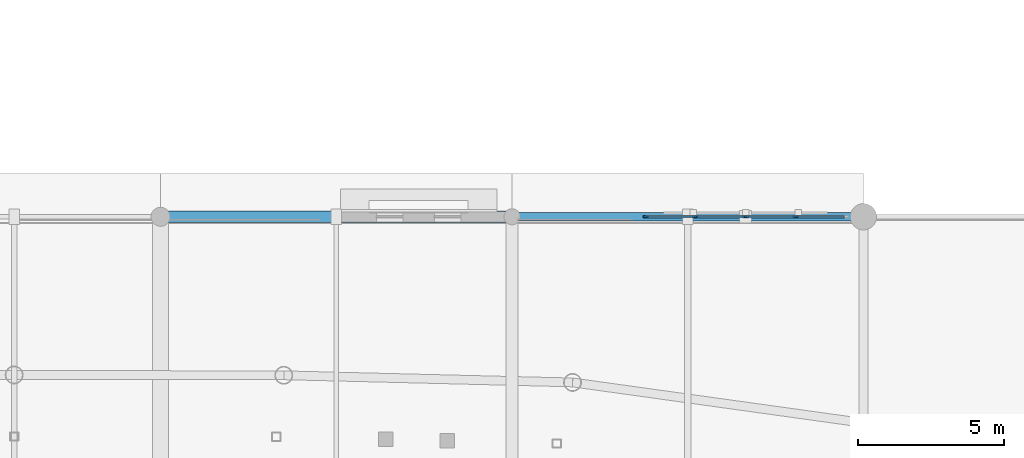
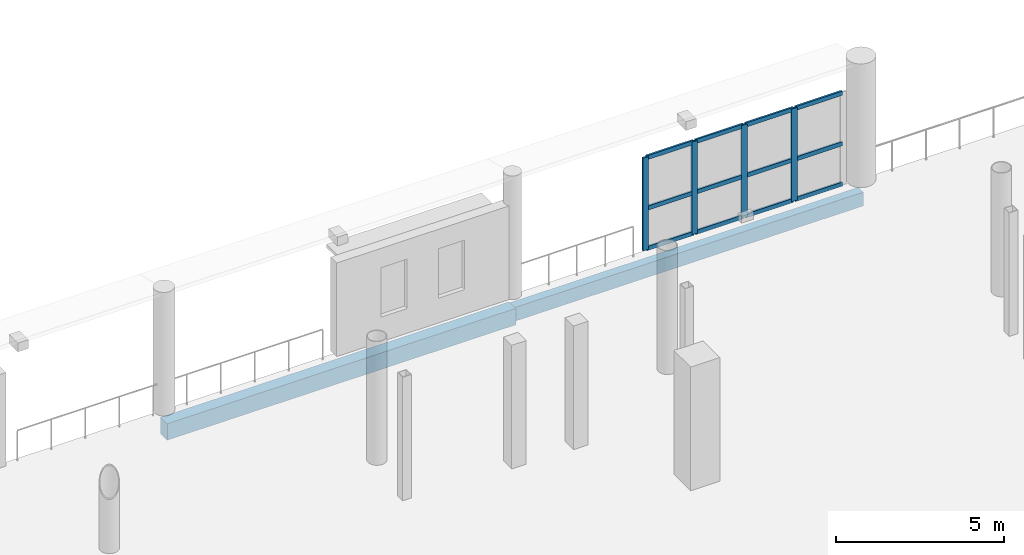
# One storey, part 49 of 118: 16 members, 2 beams, 1 element without a shape of its own.
"""IFC4 building model written with IfcOpenShell, lengths in metres."""

from ifc_helpers import new_model, si_unit, direction, frame, origin, origin_2d, place, context, subcontext, project, spatial, rectangle, hollow_rectangle, extrude, material, material_profile, profile_set, type_object, element, aggregate, save


model = new_model("IFC4")

# Units and contexts
model_context = context("Model", 3, precision=1e-05, world=origin(), true_north=direction((0.0, 1.0)))
body_context = subcontext(model_context, "Body", "Model", "MODEL_VIEW")
ifc_project = project(units=[si_unit("LENGTHUNIT", "METRE"), si_unit("AREAUNIT", "SQUARE_METRE"), si_unit("VOLUMEUNIT", "CUBIC_METRE"), si_unit("PLANEANGLEUNIT", "RADIAN"), si_unit("MASSUNIT", "GRAM", prefix="KILO")], contexts=[model_context])

# Site, building, storey
site_placement = place(None, origin())
site = spatial("IfcSite", under=ifc_project, at=site_placement, CompositionType="ELEMENT")
building_placement = place(site_placement, origin())
building = spatial("IfcBuilding", under=site, at=building_placement, Name="Luwafu Chhajja Arena", CompositionType="ELEMENT")
storey_placement = place(building_placement, frame((0.0, 0.0, 10.199951171875)))
storey = spatial("IfcBuildingStorey", under=building, at=storey_placement, Name="L02", CompositionType="ELEMENT", Elevation=10.199951171875)

# Curtain wall, members
ifc_material_1 = material(Name="Anodised bronze aluminium", Category="aluminium")
curtain_wall_type = type_object("IfcCurtainWallType", Name="Hospitality Ring Curtain Wall", PredefinedType="USERDEFINED", material=ifc_material_1)
curtain_wall_placement = place(storey_placement, origin())
curtain_wall = element("IfcCurtainWall", 1, at=curtain_wall_placement, inside=storey, type_object=curtain_wall_type, Name="L02 Curtain Wall CWG-L02-H10_09", ObjectType="CURTAIN WALL", PredefinedType="USERDEFINED")
ifc_material_profile_1 = material_profile(ifc_material_1, rectangle(XDim=0.06494140625, YDim=0.199951171875, at=origin_2d()), Name="CWM 65x200")
ifc_profile_set_1 = profile_set([ifc_material_profile_1], Name="Anodised bronze aluminium")
member_type_1 = type_object("IfcMemberType", Name="Bronze Curtain Wall Mullion 65x200", PredefinedType="MULLION", material=ifc_profile_set_1)
member_1_placement = place(storey_placement, frame((120.574951171875, 99.0, 0.030029296875), z_axis=(0.0, 0.0, 1.0), x_axis=(0.0, 1.0, 0.0)))
member_1 = element("IfcMember", 2, at=member_1_placement, type_object=member_type_1, Name="CW-02 mullion 1", PredefinedType="MULLION", context=body_context, shape_type="SweptSolid", body=[
    extrude(rectangle(XDim=0.06494140625, YDim=0.199951171875, at=origin_2d()), origin(), (0.0, 0.0, 1.0), 3.375),
])
member_2_placement = place(storey_placement, frame((122.25927734375, 99.0, 0.030029296875), z_axis=(0.0, 0.0, 1.0), x_axis=(0.0, 1.0, 0.0)))
member_2 = element("IfcMember", 3, at=member_2_placement, type_object=member_type_1, Name="CW-02 mullion 2", PredefinedType="MULLION", context=body_context, shape_type="SweptSolid", body=[
    extrude(rectangle(XDim=0.06494140625, YDim=0.199951171875, at=origin_2d()), origin(), (0.0, 0.0, 1.0), 3.375),
])
member_3_placement = place(storey_placement, frame((123.976318359375, 99.0, 0.030029296875), z_axis=(0.0, 0.0, 1.0), x_axis=(0.0, 1.0, 0.0)))
member_3 = element("IfcMember", 4, at=member_3_placement, type_object=member_type_1, Name="CW-02 mullion 3", PredefinedType="MULLION", context=body_context, shape_type="SweptSolid", body=[
    extrude(rectangle(XDim=0.06494140625, YDim=0.199951171875, at=origin_2d()), origin(), (0.0, 0.0, 1.0), 3.375),
])
member_4_placement = place(storey_placement, frame((125.693115234375, 99.0, 0.030029296875), z_axis=(0.0, 0.0, 1.0), x_axis=(0.0, 1.0, 0.0)))
member_4 = element("IfcMember", 5, at=member_4_placement, type_object=member_type_1, Name="CW-02 mullion 4", PredefinedType="MULLION", context=body_context, shape_type="SweptSolid", body=[
    extrude(rectangle(XDim=0.06494140625, YDim=0.199951171875, at=origin_2d()), origin(), (0.0, 0.0, 1.0), 3.375),
])
ifc_material_profile_2 = material_profile(ifc_material_1, rectangle(XDim=0.06494140625, YDim=0.14990234375, at=origin_2d()), Name="CWT 65x150")
ifc_profile_set_2 = profile_set([ifc_material_profile_2], Name="Anodised bronze aluminium")
member_type_2 = type_object("IfcMemberType", Name="Bronze Curtain Wall Transom 65x150", PredefinedType="USERDEFINED", material=ifc_profile_set_2)
member_5_placement = place(storey_placement, frame((120.607421875, 99.0, 0.0625), z_axis=(1.0, 0.0, 0.0), x_axis=(0.0, 1.0, 0.0)))
member_5 = element("IfcMember", 6, at=member_5_placement, type_object=member_type_2, Name="CW-02 transom 1.1", ObjectType="TRANSOM", PredefinedType="USERDEFINED", context=body_context, shape_type="SweptSolid", body=[
    extrude(rectangle(XDim=0.06494140625, YDim=0.14990234375, at=origin_2d()), origin(), (0.0, 0.0, 1.0), 1.619384765625),
])
member_6_placement = place(storey_placement, frame((120.607421875, 99.0, 1.532470703125), z_axis=(1.0, 0.0, 0.0), x_axis=(0.0, 1.0, 0.0)))
member_6 = element("IfcMember", 7, at=member_6_placement, type_object=member_type_2, Name="CW-02 transom 1.2", ObjectType="TRANSOM", PredefinedType="USERDEFINED", context=body_context, shape_type="SweptSolid", body=[
    extrude(rectangle(XDim=0.06494140625, YDim=0.14990234375, at=origin_2d()), origin(), (0.0, 0.0, 1.0), 1.619384765625),
])
member_7_placement = place(storey_placement, frame((120.607421875, 99.0, 3.37255859375), z_axis=(1.0, 0.0, 0.0), x_axis=(0.0, 1.0, 0.0)))
member_7 = element("IfcMember", 8, at=member_7_placement, type_object=member_type_2, Name="CW-02 transom 1.3", ObjectType="TRANSOM", PredefinedType="USERDEFINED", context=body_context, shape_type="SweptSolid", body=[
    extrude(rectangle(XDim=0.06494140625, YDim=0.14990234375, at=origin_2d()), origin(), (0.0, 0.0, 1.0), 1.619384765625),
])
member_8_placement = place(storey_placement, frame((122.2919921875, 99.0, 0.0625), z_axis=(1.0, 0.0, 0.0), x_axis=(0.0, 1.0, 0.0)))
member_8 = element("IfcMember", 9, at=member_8_placement, type_object=member_type_2, Name="CW-02 transom 2.1", ObjectType="TRANSOM", PredefinedType="USERDEFINED", context=body_context, shape_type="SweptSolid", body=[
    extrude(rectangle(XDim=0.06494140625, YDim=0.14990234375, at=origin_2d()), origin(), (0.0, 0.0, 1.0), 1.65185546875),
])
member_9_placement = place(storey_placement, frame((122.2919921875, 99.0, 1.532470703125), z_axis=(1.0, 0.0, 0.0), x_axis=(0.0, 1.0, 0.0)))
member_9 = element("IfcMember", 10, at=member_9_placement, type_object=member_type_2, Name="CW-02 transom 2.2", ObjectType="TRANSOM", PredefinedType="USERDEFINED", context=body_context, shape_type="SweptSolid", body=[
    extrude(rectangle(XDim=0.06494140625, YDim=0.14990234375, at=origin_2d()), origin(), (0.0, 0.0, 1.0), 1.65185546875),
])
member_10_placement = place(storey_placement, frame((122.2919921875, 99.0, 3.37255859375), z_axis=(1.0, 0.0, 0.0), x_axis=(0.0, 1.0, 0.0)))
member_10 = element("IfcMember", 11, at=member_10_placement, type_object=member_type_2, Name="CW-02 transom 2.3", ObjectType="TRANSOM", PredefinedType="USERDEFINED", context=body_context, shape_type="SweptSolid", body=[
    extrude(rectangle(XDim=0.06494140625, YDim=0.14990234375, at=origin_2d()), origin(), (0.0, 0.0, 1.0), 1.65185546875),
])
member_11_placement = place(storey_placement, frame((124.0087890625, 99.0, 0.0625), z_axis=(1.0, 0.0, 0.0), x_axis=(0.0, 1.0, 0.0)))
member_11 = element("IfcMember", 12, at=member_11_placement, type_object=member_type_2, Name="CW-02 transom 3.1", ObjectType="TRANSOM", PredefinedType="USERDEFINED", context=body_context, shape_type="SweptSolid", body=[
    extrude(rectangle(XDim=0.06494140625, YDim=0.14990234375, at=origin_2d()), origin(), (0.0, 0.0, 1.0), 1.65185546875),
])
member_12_placement = place(storey_placement, frame((124.0087890625, 99.0, 1.532470703125), z_axis=(1.0, 0.0, 0.0), x_axis=(0.0, 1.0, 0.0)))
member_12 = element("IfcMember", 13, at=member_12_placement, type_object=member_type_2, Name="CW-02 transom 3.2", ObjectType="TRANSOM", PredefinedType="USERDEFINED", context=body_context, shape_type="SweptSolid", body=[
    extrude(rectangle(XDim=0.06494140625, YDim=0.14990234375, at=origin_2d()), origin(), (0.0, 0.0, 1.0), 1.65185546875),
])
member_13_placement = place(storey_placement, frame((124.0087890625, 99.0, 3.37255859375), z_axis=(1.0, 0.0, 0.0), x_axis=(0.0, 1.0, 0.0)))
member_13 = element("IfcMember", 14, at=member_13_placement, type_object=member_type_2, Name="CW-02 transom 3.3", ObjectType="TRANSOM", PredefinedType="USERDEFINED", context=body_context, shape_type="SweptSolid", body=[
    extrude(rectangle(XDim=0.06494140625, YDim=0.14990234375, at=origin_2d()), origin(), (0.0, 0.0, 1.0), 1.65185546875),
])
member_14_placement = place(storey_placement, frame((125.7255859375, 99.0, 0.0625), z_axis=(1.0, 0.0, 0.0), x_axis=(0.0, 1.0, 0.0)))
member_14 = element("IfcMember", 15, at=member_14_placement, type_object=member_type_2, Name="CW-02 transom 4.1", ObjectType="TRANSOM", PredefinedType="USERDEFINED", context=body_context, shape_type="SweptSolid", body=[
    extrude(rectangle(XDim=0.06494140625, YDim=0.14990234375, at=origin_2d()), origin(), (0.0, 0.0, 1.0), 1.619384765625),
])
member_15_placement = place(storey_placement, frame((125.7255859375, 99.0, 1.532470703125), z_axis=(1.0, 0.0, 0.0), x_axis=(0.0, 1.0, 0.0)))
member_15 = element("IfcMember", 16, at=member_15_placement, type_object=member_type_2, Name="CW-02 transom 4.2", ObjectType="TRANSOM", PredefinedType="USERDEFINED", context=body_context, shape_type="SweptSolid", body=[
    extrude(rectangle(XDim=0.06494140625, YDim=0.14990234375, at=origin_2d()), origin(), (0.0, 0.0, 1.0), 1.619384765625),
])
member_16_placement = place(storey_placement, frame((125.7255859375, 99.0, 3.37255859375), z_axis=(1.0, 0.0, 0.0), x_axis=(0.0, 1.0, 0.0)))
member_16 = element("IfcMember", 17, at=member_16_placement, type_object=member_type_2, Name="CW-02 transom 4.3", ObjectType="TRANSOM", PredefinedType="USERDEFINED", context=body_context, shape_type="SweptSolid", body=[
    extrude(rectangle(XDim=0.06494140625, YDim=0.14990234375, at=origin_2d()), origin(), (0.0, 0.0, 1.0), 1.619384765625),
])
aggregate(curtain_wall, [member_1, member_2, member_3, member_4, member_5, member_6, member_7, member_8, member_9, member_10, member_11, member_12, member_13, member_14, member_15, member_16])

# Beams
ifc_material_2 = material(Name="Steel S355", Category="steel")
ifc_material_profile_3 = material_profile(ifc_material_2, hollow_rectangle(XDim=0.300048828125, YDim=0.5, WallThickness=0.02001953125, at=origin_2d()), Name="RHS 500x300x20")
ifc_profile_set_3 = profile_set([ifc_material_profile_3], Name="Steel S355")
beam_type_1 = type_object("IfcBeamType", Name="Pleated Drum Spandrel Beam RHS 500x300", PredefinedType="SPANDREL", material=ifc_profile_set_3)
beam_1_placement = place(storey_placement, frame((116.0, 99.0, -0.639892578125), z_axis=(1.0, 0.0, 0.0), x_axis=(0.0, 1.0, 0.0)))
element("IfcBeam", 18, at=beam_1_placement, inside=storey, type_object=beam_type_1, Name="L02 Grid Beam 11-12/K", PredefinedType="SPANDREL", context=body_context, shape_type="SweptSolid", body=[
    extrude(hollow_rectangle(XDim=0.300048828125, YDim=0.5, WallThickness=0.02001953125, at=origin_2d()), origin(), (0.0, 0.0, 1.0), 12.0),
])
ifc_material_3 = material(Name="Concrete C35/45", Category="concrete")
ifc_material_profile_4 = material_profile(ifc_material_3, rectangle(XDim=0.39990234375, YDim=0.60009765625, at=origin_2d()), Name="RC 400x600")
ifc_profile_set_4 = profile_set([ifc_material_profile_4], Name="Concrete C35/45")
beam_type_2 = type_object("IfcBeamType", Name="Podium Perimeter Spandrel RC 400x600", PredefinedType="SPANDREL", material=ifc_profile_set_4)
beam_2_placement = place(storey_placement, frame((104.0, 99.0, -0.68994140625), z_axis=(1.0, 0.0, 0.0), x_axis=(0.0, 1.0, 0.0)))
element("IfcBeam", 19, at=beam_2_placement, inside=storey, type_object=beam_type_2, Name="L02 Grid Beam 10-11/K", PredefinedType="SPANDREL", context=body_context, shape_type="SweptSolid", body=[
    extrude(rectangle(XDim=0.39990234375, YDim=0.60009765625, at=origin_2d()), origin(), (0.0, 0.0, 1.0), 12.0),
])

save(model, "model.ifc")
